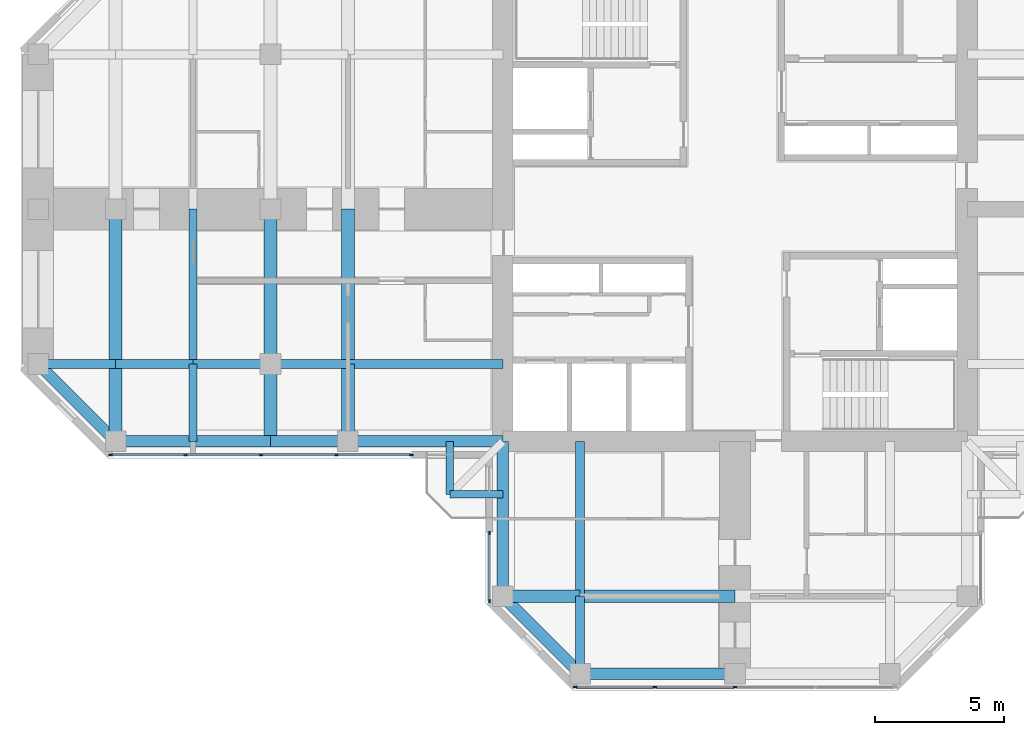
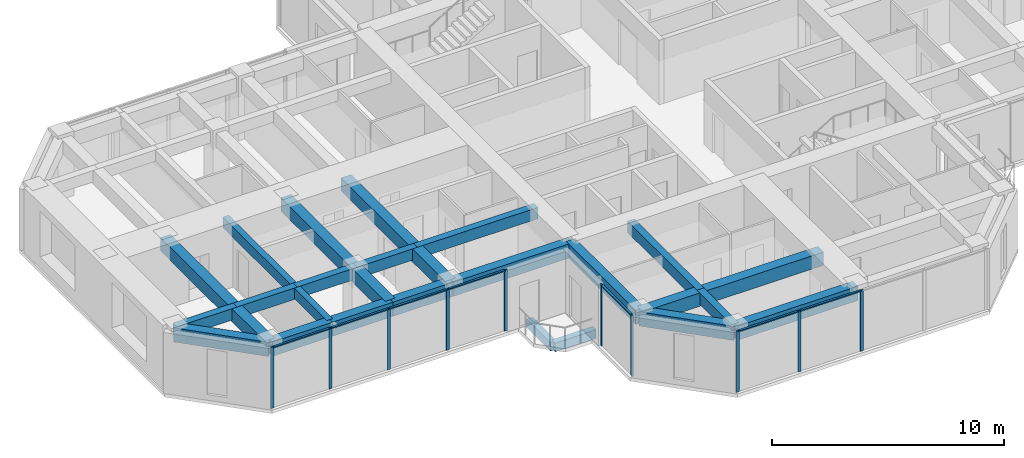
# One storey, part 2 of 13: 27 beams, 17 members, 3 elements without a shape of their own.
"""IFC4 building model written with IfcOpenShell, lengths in metres."""

from ifc_helpers import new_model, si_unit, direction, frame, origin, origin_2d, place, context, subcontext, project, spatial, rectangle, extrude, material, material_profile, profile_set, type_object, element, aggregate, save


model = new_model("IFC4")

# Units and contexts
model_context = context("Model", 3, precision=1e-05, world=origin(), true_north=direction((0.0, 1.0)))
body_context = subcontext(model_context, "Body", "Model", "MODEL_VIEW")
ifc_project = project(units=[si_unit("LENGTHUNIT", "METRE"), si_unit("AREAUNIT", "SQUARE_METRE"), si_unit("VOLUMEUNIT", "CUBIC_METRE"), si_unit("PLANEANGLEUNIT", "RADIAN"), si_unit("MASSUNIT", "GRAM", prefix="KILO")], contexts=[model_context])

# Site, building, storey
site_placement = place(None, origin())
site = spatial("IfcSite", under=ifc_project, at=site_placement, CompositionType="ELEMENT")
building_placement = place(site_placement, origin())
building = spatial("IfcBuilding", under=site, at=building_placement, Name="Torre Cruceta", CompositionType="ELEMENT")
storey_placement = place(building_placement, frame((0.0, 0.0, 235.699951171875)))
storey = spatial("IfcBuildingStorey", under=building, at=storey_placement, Name="L60", CompositionType="ELEMENT", Elevation=235.699951171875)

# Beams
ifc_material_1 = material(Name="Concrete G60 (fck 60 MPa)", Category="concrete")
ifc_material_profile_1 = material_profile(ifc_material_1, rectangle(XDim=0.300048828125, YDim=0.449951171875, at=origin_2d()), Name="RC 300X450")
ifc_profile_set_1 = profile_set([ifc_material_profile_1], Name="Concrete G60 (fck 60 MPa)")
beam_type_1 = type_object("IfcBeamType", Name="BALCONY CANTILEVER BEAM RC 300X450", PredefinedType="BEAM", material=ifc_profile_set_1)
for number, where, z_axis, x_axis, name in (
    (1, (-11.050537109375, -9.0, -0.405029296875), (0.0, -1.0, 0.0), (1.0, 0.0, 0.0), "BB1 balcony edge beam L60 W-X"),
    (2, (-9.0, -11.050537109375, -0.405029296875), (-1.0, 0.0, 0.0), (0.0, -1.0, 0.0), "BB1 balcony edge beam L60 W-Y"),
):
    element("IfcBeam", number, at=place(storey_placement, frame(where, z_axis=z_axis, x_axis=x_axis)), inside=storey, type_object=beam_type_1, Name=name, PredefinedType="BEAM", context=body_context, shape_type="SweptSolid", body=[
        extrude(rectangle(XDim=0.300048828125, YDim=0.449951171875, at=origin_2d()), origin(), (0.0, 0.0, 1.0), 2.050537109375),
    ])
ifc_material_2 = material(Name="Concrete G60 (fck 60 MPa)", Category="concrete")
ifc_material_profile_2 = material_profile(ifc_material_2, rectangle(XDim=0.35009765625, YDim=0.60009765625, at=origin_2d()), Name="RC 350X600")
ifc_profile_set_2 = profile_set([ifc_material_profile_2], Name="Concrete G60 (fck 60 MPa)")
beam_type_2 = type_object("IfcBeamType", Name="COLUMN LINE BEAM RC 350X600", PredefinedType="BEAM", material=ifc_profile_set_2)
beam_1_placement = place(storey_placement, frame((-6.0, -9.0, 2.920166015625), z_axis=(0.0, -1.0, 0.0), x_axis=(1.0, 0.0, 0.0)))
element("IfcBeam", 3, at=beam_1_placement, inside=storey, type_object=beam_type_2, Name="LB9 L60 S col- 1", PredefinedType="BEAM", context=body_context, shape_type="SweptSolid", body=[
    extrude(rectangle(XDim=0.35009765625, YDim=0.60009765625, at=origin_2d()), origin(), (0.0, 0.0, 1.0), 6.0),
])
beam_2_placement = place(storey_placement, frame((-6.0, -15.0, 2.920166015625), z_axis=(0.0, -1.0, 0.0), x_axis=(1.0, 0.0, 0.0)))
element("IfcBeam", 4, at=beam_2_placement, inside=storey, type_object=beam_type_2, Name="LB9 L60 S col- 2", PredefinedType="BEAM", context=body_context, shape_type="SweptSolid", body=[
    extrude(rectangle(XDim=0.35009765625, YDim=0.60009765625, at=origin_2d()), origin(), (0.0, 0.0, 1.0), 3.0),
])
beam_3_placement = place(storey_placement, frame((-9.0, -6.0, 2.920166015625), z_axis=(-1.0, 0.0, 0.0), x_axis=(0.0, -1.0, 0.0)))
element("IfcBeam", 5, at=beam_3_placement, inside=storey, type_object=beam_type_2, Name="LB9 L60 W col+ 1", PredefinedType="BEAM", context=body_context, shape_type="SweptSolid", body=[
    extrude(rectangle(XDim=0.35009765625, YDim=0.60009765625, at=origin_2d()), origin(), (0.0, 0.0, 1.0), 6.0),
])
for number, where, z_axis, x_axis, name in (
    (6, (-15.0, -6.0, 2.920166015625), (-1.0, 0.0, 0.0), (0.0, -1.0, 0.0), "LB9 L60 W col+ 2"),
    (7, (-18.0, -6.0, 2.920166015625), (-1.0, 0.0, 0.0), (0.0, -1.0, 0.0), "LB9 L60 W col+ 3"),
    (8, (-21.0, -6.0, 2.920166015625), (-1.0, 0.0, 0.0), (0.0, -1.0, 0.0), "LB9 L60 W col+ 4"),
    (9, (-24.0, -6.0, 2.920166015625), (-1.0, 0.0, 0.0), (0.0, -1.0, 0.0), "LB9 L60 W col+ 5"),
):
    element("IfcBeam", number, at=place(storey_placement, frame(where, z_axis=z_axis, x_axis=x_axis)), inside=storey, type_object=beam_type_2, Name=name, PredefinedType="BEAM", context=body_context, shape_type="SweptSolid", body=[
        extrude(rectangle(XDim=0.35009765625, YDim=0.60009765625, at=origin_2d()), origin(), (0.0, 0.0, 1.0), 3.0),
    ])
ifc_material_3 = material(Name="Concrete G60 (fck 60 MPa)", Category="concrete")
ifc_material_profile_3 = material_profile(ifc_material_3, rectangle(XDim=0.5, YDim=0.699951171875, at=origin_2d()), Name="RC 500X700")
ifc_profile_set_3 = profile_set([ifc_material_profile_3], Name="Concrete G60 (fck 60 MPa)")
beam_type_3 = type_object("IfcBeamType", Name="CROSS BEAM RC 500X700", PredefinedType="BEAM", material=ifc_profile_set_3)
beam_4_placement = place(storey_placement, frame((-9.0, -15.0, 2.8701171875), z_axis=(1.0, 0.0, 0.0), x_axis=(0.0, 1.0, 0.0)))
element("IfcBeam", 10, at=beam_4_placement, inside=storey, type_object=beam_type_3, Name="GB7 L60 S cross15 1", PredefinedType="BEAM", context=body_context, shape_type="SweptSolid", body=[
    extrude(rectangle(XDim=0.5, YDim=0.699951171875, at=origin_2d()), origin(), (0.0, 0.0, 1.0), 3.0),
])
for number, where, z_axis, x_axis, name in (
    (11, (-6.0, -15.0, 2.8701171875), (1.0, 0.0, 0.0), (0.0, 1.0, 0.0), "GB7 L60 S cross15 2"),
    (12, (-15.0, 0.0, 2.8701171875), (0.0, -1.0, 0.0), (1.0, 0.0, 0.0), "GB7 L60 W cross15 3"),
):
    element("IfcBeam", number, at=place(storey_placement, frame(where, z_axis=z_axis, x_axis=x_axis)), inside=storey, type_object=beam_type_3, Name=name, PredefinedType="BEAM", context=body_context, shape_type="SweptSolid", body=[
        extrude(rectangle(XDim=0.5, YDim=0.699951171875, at=origin_2d()), origin(), (0.0, 0.0, 1.0), 6.0),
    ])
beam_5_placement = place(storey_placement, frame((-15.0, -6.0, 2.8701171875), z_axis=(0.0, -1.0, 0.0), x_axis=(1.0, 0.0, 0.0)))
element("IfcBeam", 13, at=beam_5_placement, inside=storey, type_object=beam_type_3, Name="GB7 L60 W cross15 4", PredefinedType="BEAM", context=body_context, shape_type="SweptSolid", body=[
    extrude(rectangle(XDim=0.5, YDim=0.699951171875, at=origin_2d()), origin(), (0.0, 0.0, 1.0), 3.0),
])
beam_6_placement = place(storey_placement, frame((-18.0, 0.0, 2.8701171875), z_axis=(0.0, -1.0, 0.0), x_axis=(1.0, 0.0, 0.0)))
element("IfcBeam", 14, at=beam_6_placement, inside=storey, type_object=beam_type_3, Name="GB7 L60 W cross18 3", PredefinedType="BEAM", context=body_context, shape_type="SweptSolid", body=[
    extrude(rectangle(XDim=0.5, YDim=0.699951171875, at=origin_2d()), origin(), (0.0, 0.0, 1.0), 6.0),
])
beam_7_placement = place(storey_placement, frame((-18.0, -6.0, 2.8701171875), z_axis=(0.0, -1.0, 0.0), x_axis=(1.0, 0.0, 0.0)))
element("IfcBeam", 15, at=beam_7_placement, inside=storey, type_object=beam_type_3, Name="GB7 L60 W cross18 4", PredefinedType="BEAM", context=body_context, shape_type="SweptSolid", body=[
    extrude(rectangle(XDim=0.5, YDim=0.699951171875, at=origin_2d()), origin(), (0.0, 0.0, 1.0), 3.0),
])
beam_8_placement = place(storey_placement, frame((-24.0, 0.0, 2.8701171875), z_axis=(0.0, -1.0, 0.0), x_axis=(1.0, 0.0, 0.0)))
element("IfcBeam", 16, at=beam_8_placement, inside=storey, type_object=beam_type_3, Name="GB7 L60 W cross24 3", PredefinedType="BEAM", context=body_context, shape_type="SweptSolid", body=[
    extrude(rectangle(XDim=0.5, YDim=0.699951171875, at=origin_2d()), origin(), (0.0, 0.0, 1.0), 6.0),
])
beam_9_placement = place(storey_placement, frame((-24.0, -6.0, 2.8701171875), z_axis=(0.0, -1.0, 0.0), x_axis=(1.0, 0.0, 0.0)))
element("IfcBeam", 17, at=beam_9_placement, inside=storey, type_object=beam_type_3, Name="GB7 L60 W cross24 4", PredefinedType="BEAM", context=body_context, shape_type="SweptSolid", body=[
    extrude(rectangle(XDim=0.5, YDim=0.699951171875, at=origin_2d()), origin(), (0.0, 0.0, 1.0), 3.0),
])

# Curtain wall, members
ifc_material_4 = material(Name="Aluminium unitised curtain wall", Category="aluminium")
curtain_wall_type = type_object("IfcCurtainWallType", Name="CURTAIN WALL CW-D CO-LIVING UPPER", PredefinedType="USERDEFINED", material=ifc_material_4)
curtain_wall_1_placement = place(storey_placement, origin())
curtain_wall_1 = element("IfcCurtainWall", 18, at=curtain_wall_1_placement, inside=storey, type_object=curtain_wall_type, Name="CW-D L60 W side 14", ObjectType="UNITISED", PredefinedType="USERDEFINED")
ifc_material_5 = material(Name="Aluminium mullion", Category="aluminium")
ifc_material_profile_4 = material_profile(ifc_material_5, rectangle(XDim=0.06005859375, YDim=0.14990234375, at=origin_2d()), Name="AL 60X150")
ifc_profile_set_4 = profile_set([ifc_material_profile_4], Name="Aluminium mullion")
member_type_1 = type_object("IfcMemberType", Name="CW-D MULLION 60X150", PredefinedType="MULLION", material=ifc_profile_set_4)
member_1_placement = place(storey_placement, frame((-24.185302734375, -9.52001953125, 0.0), z_axis=(0.0, 0.0, 1.0), x_axis=(0.0, 1.0, 0.0)))
member_1 = element("IfcMember", 19, at=member_1_placement, type_object=member_type_1, Name="CW-D mullion 1", PredefinedType="MULLION", context=body_context, shape_type="SweptSolid", body=[
    extrude(rectangle(XDim=0.06005859375, YDim=0.14990234375, at=origin_2d()), origin(), (0.0, 0.0, 1.0), 3.219970703125),
])
member_2_placement = place(storey_placement, frame((-21.29150390625, -9.52001953125, 0.0), z_axis=(0.0, 0.0, 1.0), x_axis=(0.0, 1.0, 0.0)))
member_2 = element("IfcMember", 20, at=member_2_placement, type_object=member_type_1, Name="CW-D mullion 2", PredefinedType="MULLION", context=body_context, shape_type="SweptSolid", body=[
    extrude(rectangle(XDim=0.06005859375, YDim=0.14990234375, at=origin_2d()), origin(), (0.0, 0.0, 1.0), 3.219970703125),
])
member_3_placement = place(storey_placement, frame((-18.36767578125, -9.52001953125, 0.0), z_axis=(0.0, 0.0, 1.0), x_axis=(0.0, 1.0, 0.0)))
member_3 = element("IfcMember", 21, at=member_3_placement, type_object=member_type_1, Name="CW-D mullion 3", PredefinedType="MULLION", context=body_context, shape_type="SweptSolid", body=[
    extrude(rectangle(XDim=0.06005859375, YDim=0.14990234375, at=origin_2d()), origin(), (0.0, 0.0, 1.0), 3.219970703125),
])
member_4_placement = place(storey_placement, frame((-15.44384765625, -9.52001953125, 0.0), z_axis=(0.0, 0.0, 1.0), x_axis=(0.0, 1.0, 0.0)))
member_4 = element("IfcMember", 22, at=member_4_placement, type_object=member_type_1, Name="CW-D mullion 4", PredefinedType="MULLION", context=body_context, shape_type="SweptSolid", body=[
    extrude(rectangle(XDim=0.06005859375, YDim=0.14990234375, at=origin_2d()), origin(), (0.0, 0.0, 1.0), 3.219970703125),
])
member_5_placement = place(storey_placement, frame((-12.550048828125, -9.52001953125, 0.0), z_axis=(0.0, 0.0, 1.0), x_axis=(0.0, 1.0, 0.0)))
member_5 = element("IfcMember", 23, at=member_5_placement, type_object=member_type_1, Name="CW-D mullion 5", PredefinedType="MULLION", context=body_context, shape_type="SweptSolid", body=[
    extrude(rectangle(XDim=0.06005859375, YDim=0.14990234375, at=origin_2d()), origin(), (0.0, 0.0, 1.0), 3.219970703125),
])

curtain_wall_2_placement = place(storey_placement, origin())
curtain_wall_2 = element("IfcCurtainWall", 24, at=curtain_wall_2_placement, inside=storey, type_object=curtain_wall_type, Name="CW-D L60 S side 15", ObjectType="UNITISED", PredefinedType="USERDEFINED")
member_6_placement = place(storey_placement, frame((-9.52001953125, -12.550048828125, 0.0), z_axis=(0.0, 0.0, 1.0), x_axis=(1.0, 0.0, 0.0)))
member_6 = element("IfcMember", 25, at=member_6_placement, type_object=member_type_1, Name="CW-D mullion 1", PredefinedType="MULLION", context=body_context, shape_type="SweptSolid", body=[
    extrude(rectangle(XDim=0.06005859375, YDim=0.14990234375, at=origin_2d()), origin(), (0.0, 0.0, 1.0), 3.219970703125),
])
member_7_placement = place(storey_placement, frame((-9.52001953125, -15.185302734375, 0.0), z_axis=(0.0, 0.0, 1.0), x_axis=(1.0, 0.0, 0.0)))
member_7 = element("IfcMember", 26, at=member_7_placement, type_object=member_type_1, Name="CW-D mullion 2", PredefinedType="MULLION", context=body_context, shape_type="SweptSolid", body=[
    extrude(rectangle(XDim=0.06005859375, YDim=0.14990234375, at=origin_2d()), origin(), (0.0, 0.0, 1.0), 3.219970703125),
])

curtain_wall_3_placement = place(storey_placement, origin())
curtain_wall_3 = element("IfcCurtainWall", 27, at=curtain_wall_3_placement, inside=storey, type_object=curtain_wall_type, Name="CW-D L60 S tip 17", ObjectType="UNITISED", PredefinedType="USERDEFINED")
member_8_placement = place(storey_placement, frame((-6.185302734375, -18.52001953125, 0.0), z_axis=(0.0, 0.0, 1.0), x_axis=(0.0, 1.0, 0.0)))
member_8 = element("IfcMember", 28, at=member_8_placement, type_object=member_type_1, Name="CW-D mullion 1", PredefinedType="MULLION", context=body_context, shape_type="SweptSolid", body=[
    extrude(rectangle(XDim=0.06005859375, YDim=0.14990234375, at=origin_2d()), origin(), (0.0, 0.0, 1.0), 3.219970703125),
])
member_9_placement = place(storey_placement, frame((-3.107666015625, -18.52001953125, 0.0), z_axis=(0.0, 0.0, 1.0), x_axis=(0.0, 1.0, 0.0)))
member_9 = element("IfcMember", 29, at=member_9_placement, type_object=member_type_1, Name="CW-D mullion 2", PredefinedType="MULLION", context=body_context, shape_type="SweptSolid", body=[
    extrude(rectangle(XDim=0.06005859375, YDim=0.14990234375, at=origin_2d()), origin(), (0.0, 0.0, 1.0), 3.219970703125),
])
member_10_placement = place(storey_placement, frame((0.0, -18.52001953125, 0.0), z_axis=(0.0, 0.0, 1.0), x_axis=(0.0, 1.0, 0.0)))
member_10 = element("IfcMember", 30, at=member_10_placement, type_object=member_type_1, Name="CW-D mullion 3", PredefinedType="MULLION", context=body_context, shape_type="SweptSolid", body=[
    extrude(rectangle(XDim=0.06005859375, YDim=0.14990234375, at=origin_2d()), origin(), (0.0, 0.0, 1.0), 3.219970703125),
])

# Member
ifc_material_6 = material(Name="Aluminium transom", Category="aluminium")
ifc_material_profile_5 = material_profile(ifc_material_6, rectangle(XDim=0.10009765625, YDim=0.06005859375, at=origin_2d()), Name="AL 100X60")
ifc_profile_set_5 = profile_set([ifc_material_profile_5], Name="Aluminium transom")
member_type_2 = type_object("IfcMemberType", Name="CW-D TRANSOM 60X100", PredefinedType="USERDEFINED", material=ifc_profile_set_5)
member_11_placement = place(storey_placement, frame((-24.1552734375, -9.52001953125, 3.18994140625), z_axis=(1.0, 0.0, 0.0), x_axis=(0.0, 1.0, 0.0)))
member_11 = element("IfcMember", 31, at=member_11_placement, type_object=member_type_2, Name="CW-D transom 1", ObjectType="TRANSOM", PredefinedType="USERDEFINED", context=body_context, shape_type="SweptSolid", body=[
    extrude(rectangle(XDim=0.10009765625, YDim=0.06005859375, at=origin_2d()), origin(), (0.0, 0.0, 1.0), 2.833740234375),
])

member_12_placement = place(storey_placement, frame((-21.261474609375, -9.52001953125, 3.18994140625), z_axis=(1.0, 0.0, 0.0), x_axis=(0.0, 1.0, 0.0)))
member_12 = element("IfcMember", 32, at=member_12_placement, type_object=member_type_2, Name="CW-D transom 2", ObjectType="TRANSOM", PredefinedType="USERDEFINED", context=body_context, shape_type="SweptSolid", body=[
    extrude(rectangle(XDim=0.10009765625, YDim=0.06005859375, at=origin_2d()), origin(), (0.0, 0.0, 1.0), 2.86376953125),
])

member_13_placement = place(storey_placement, frame((-18.337646484375, -9.52001953125, 3.18994140625), z_axis=(1.0, 0.0, 0.0), x_axis=(0.0, 1.0, 0.0)))
member_13 = element("IfcMember", 33, at=member_13_placement, type_object=member_type_2, Name="CW-D transom 3", ObjectType="TRANSOM", PredefinedType="USERDEFINED", context=body_context, shape_type="SweptSolid", body=[
    extrude(rectangle(XDim=0.10009765625, YDim=0.06005859375, at=origin_2d()), origin(), (0.0, 0.0, 1.0), 2.86376953125),
])

member_14_placement = place(storey_placement, frame((-15.413818359375, -9.52001953125, 3.18994140625), z_axis=(1.0, 0.0, 0.0), x_axis=(0.0, 1.0, 0.0)))
member_14 = element("IfcMember", 34, at=member_14_placement, type_object=member_type_2, Name="CW-D transom 4", ObjectType="TRANSOM", PredefinedType="USERDEFINED", context=body_context, shape_type="SweptSolid", body=[
    extrude(rectangle(XDim=0.10009765625, YDim=0.06005859375, at=origin_2d()), origin(), (0.0, 0.0, 1.0), 2.833740234375),
])

aggregate(curtain_wall_1, [member_1, member_2, member_3, member_4, member_5, member_11, member_12, member_13, member_14])

member_15_placement = place(storey_placement, frame((-9.52001953125, -12.580078125, 3.18994140625), z_axis=(0.0, -1.0, 0.0), x_axis=(1.0, 0.0, 0.0)))
member_15 = element("IfcMember", 35, at=member_15_placement, type_object=member_type_2, Name="CW-D transom 1", ObjectType="TRANSOM", PredefinedType="USERDEFINED", context=body_context, shape_type="SweptSolid", body=[
    extrude(rectangle(XDim=0.10009765625, YDim=0.06005859375, at=origin_2d()), origin(), (0.0, 0.0, 1.0), 2.5751953125),
])

aggregate(curtain_wall_2, [member_6, member_7, member_15])

member_16_placement = place(storey_placement, frame((-6.1552734375, -18.52001953125, 3.18994140625), z_axis=(1.0, 0.0, 0.0), x_axis=(0.0, 1.0, 0.0)))
member_16 = element("IfcMember", 36, at=member_16_placement, type_object=member_type_2, Name="CW-D transom 1", ObjectType="TRANSOM", PredefinedType="USERDEFINED", context=body_context, shape_type="SweptSolid", body=[
    extrude(rectangle(XDim=0.10009765625, YDim=0.06005859375, at=origin_2d()), origin(), (0.0, 0.0, 1.0), 3.017578125),
])

member_17_placement = place(storey_placement, frame((-3.07763671875, -18.52001953125, 3.18994140625), z_axis=(1.0, 0.0, 0.0), x_axis=(0.0, 1.0, 0.0)))
member_17 = element("IfcMember", 37, at=member_17_placement, type_object=member_type_2, Name="CW-D transom 2", ObjectType="TRANSOM", PredefinedType="USERDEFINED", context=body_context, shape_type="SweptSolid", body=[
    extrude(rectangle(XDim=0.10009765625, YDim=0.06005859375, at=origin_2d()), origin(), (0.0, 0.0, 1.0), 3.047607421875),
])

aggregate(curtain_wall_3, [member_8, member_9, member_10, member_16, member_17])

# Beams
ifc_material_7 = material(Name="Concrete G60 (fck 60 MPa)", Category="concrete")
ifc_material_profile_6 = material_profile(ifc_material_7, rectangle(XDim=0.300048828125, YDim=0.550048828125, at=origin_2d()), Name="RC 300X550")
ifc_profile_set_6 = profile_set([ifc_material_profile_6], Name="Concrete G60 (fck 60 MPa)")
beam_type_4 = type_object("IfcBeamType", Name="SECONDARY BEAM RC 300X550", PredefinedType="JOIST", material=ifc_profile_set_6)
beam_10_placement = place(storey_placement, frame((-21.0, 0.0, 2.945068359375), z_axis=(0.0, -1.0, 0.0), x_axis=(1.0, 0.0, 0.0)))
element("IfcBeam", 38, at=beam_10_placement, inside=storey, type_object=beam_type_4, Name="JB7 L60 W sec21 3", PredefinedType="JOIST", context=body_context, shape_type="SweptSolid", body=[
    extrude(rectangle(XDim=0.300048828125, YDim=0.550048828125, at=origin_2d()), origin(), (0.0, 0.0, 1.0), 6.0),
])
beam_11_placement = place(storey_placement, frame((-21.0, -6.0, 2.945068359375), z_axis=(0.0, -1.0, 0.0), x_axis=(1.0, 0.0, 0.0)))
element("IfcBeam", 39, at=beam_11_placement, inside=storey, type_object=beam_type_4, Name="JB7 L60 W sec21 4", PredefinedType="JOIST", context=body_context, shape_type="SweptSolid", body=[
    extrude(rectangle(XDim=0.300048828125, YDim=0.550048828125, at=origin_2d()), origin(), (0.0, 0.0, 1.0), 3.0),
])
ifc_material_8 = material(Name="Concrete G60 (fck 60 MPa)", Category="concrete")
ifc_material_profile_7 = material_profile(ifc_material_8, rectangle(XDim=0.449951171875, YDim=0.75, at=origin_2d()), Name="RC 450X750")
ifc_profile_set_7 = profile_set([ifc_material_profile_7], Name="Concrete G60 (fck 60 MPa)")
beam_type_5 = type_object("IfcBeamType", Name="SPANDREL BEAM RC 450X750", PredefinedType="SPANDREL", material=ifc_profile_set_7)
beam_12_placement = place(storey_placement, frame((-9.0, -9.0, 2.844970703125), z_axis=(0.0, -1.0, 0.0), x_axis=(1.0, 0.0, 0.0)))
element("IfcBeam", 40, at=beam_12_placement, inside=storey, type_object=beam_type_5, Name="SB7 L60 S side- 1", PredefinedType="SPANDREL", context=body_context, shape_type="SweptSolid", body=[
    extrude(rectangle(XDim=0.449951171875, YDim=0.75, at=origin_2d()), origin(), (0.0, 0.0, 1.0), 6.0),
])
beam_13_placement = place(storey_placement, frame((-9.0, -15.0, 2.844970703125), z_axis=(0.707106781187, -0.707106781187, 0.0), x_axis=(0.707106781187, 0.707106781187, 0.0)))
element("IfcBeam", 41, at=beam_13_placement, inside=storey, type_object=beam_type_5, Name="SB7 L60 S side- 2", PredefinedType="SPANDREL", context=body_context, shape_type="SweptSolid", body=[
    extrude(rectangle(XDim=0.449951171875, YDim=0.75, at=origin_2d()), origin(), (0.0, 0.0, 1.0), 4.24267578125),
])
for number, where, z_axis, x_axis, name in (
    (42, (-6.0, -18.0, 2.844970703125), (1.0, 0.0, 0.0), (0.0, 1.0, 0.0), "SB7 L60 S tip 1"),
    (43, (-9.0, -9.0, 2.844970703125), (-1.0, 0.0, 0.0), (0.0, -1.0, 0.0), "SB7 L60 W side+ 1"),
):
    element("IfcBeam", number, at=place(storey_placement, frame(where, z_axis=z_axis, x_axis=x_axis)), inside=storey, type_object=beam_type_5, Name=name, PredefinedType="SPANDREL", context=body_context, shape_type="SweptSolid", body=[
        extrude(rectangle(XDim=0.449951171875, YDim=0.75, at=origin_2d()), origin(), (0.0, 0.0, 1.0), 6.0),
    ])
for number, where, z_axis, x_axis, name in (
    (44, (-15.0, -9.0, 2.844970703125), (-1.0, 0.0, 0.0), (0.0, -1.0, 0.0), "SB7 L60 W side+ 2"),
    (45, (-18.0, -9.0, 2.844970703125), (-1.0, 0.0, 0.0), (0.0, -1.0, 0.0), "SB7 L60 W side+ 3"),
    (46, (-21.0, -9.0, 2.844970703125), (-1.0, 0.0, 0.0), (0.0, -1.0, 0.0), "SB7 L60 W side+ 4"),
):
    element("IfcBeam", number, at=place(storey_placement, frame(where, z_axis=z_axis, x_axis=x_axis)), inside=storey, type_object=beam_type_5, Name=name, PredefinedType="SPANDREL", context=body_context, shape_type="SweptSolid", body=[
        extrude(rectangle(XDim=0.449951171875, YDim=0.75, at=origin_2d()), origin(), (0.0, 0.0, 1.0), 3.0),
    ])
beam_14_placement = place(storey_placement, frame((-24.0, -9.0, 2.844970703125), z_axis=(-0.707106781187, 0.707106781187, 0.0), x_axis=(-0.707106781187, -0.707106781187, 0.0)))
element("IfcBeam", 47, at=beam_14_placement, inside=storey, type_object=beam_type_5, Name="SB7 L60 W side+ 5", PredefinedType="SPANDREL", context=body_context, shape_type="SweptSolid", body=[
    extrude(rectangle(XDim=0.449951171875, YDim=0.75, at=origin_2d()), origin(), (0.0, 0.0, 1.0), 4.24267578125),
])

save(model, "model.ifc")
